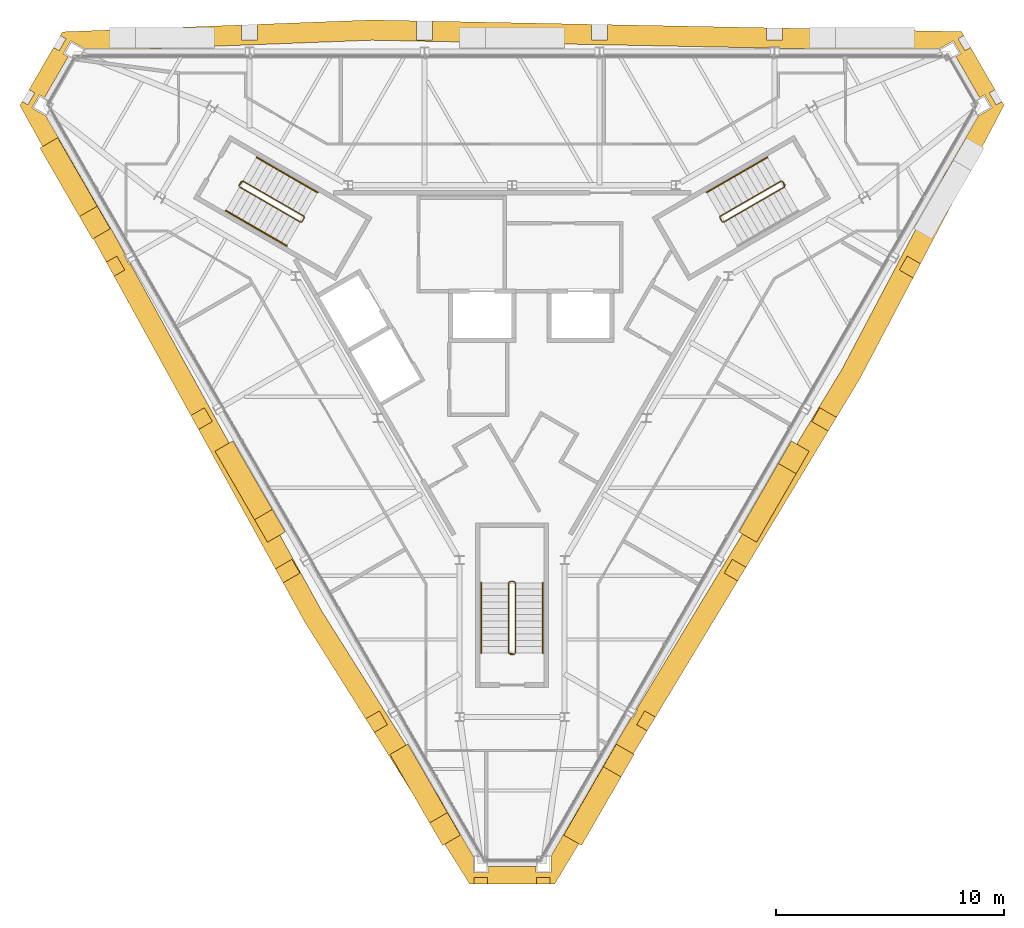
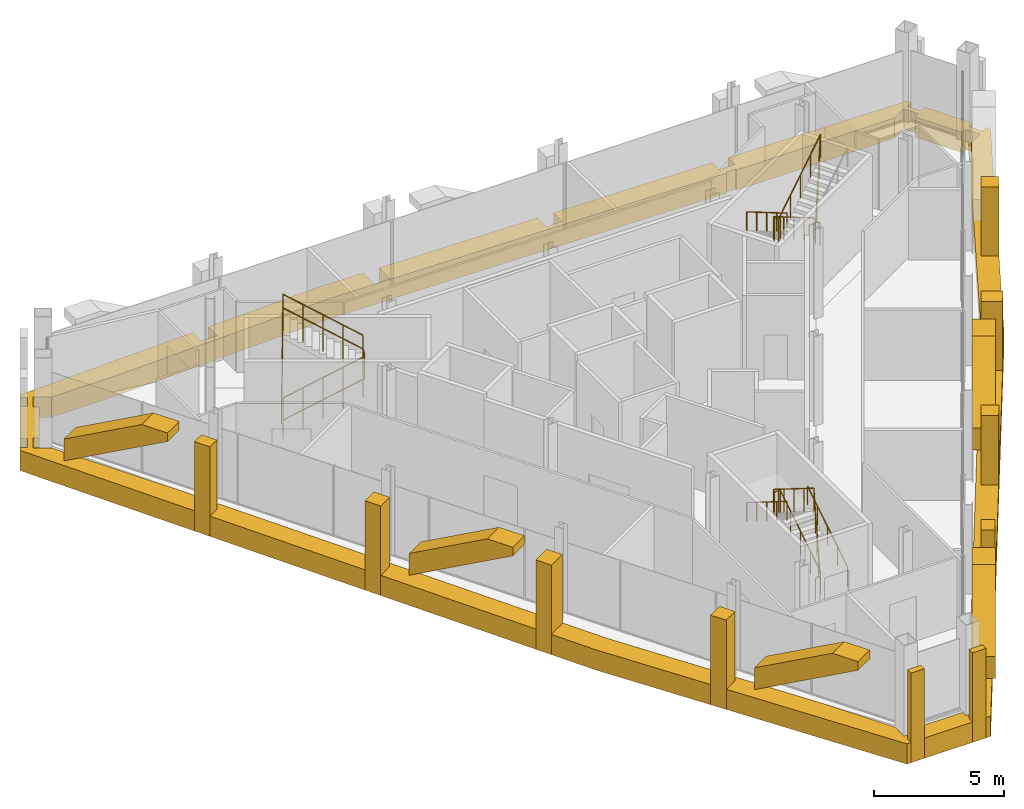
# One storey, part 12 of 13: 16 coverings, 8 railings.
"""IFC4 building model written with IfcOpenShell, lengths in metres."""

from ifc_helpers import new_model, si_unit, direction, frame, origin, origin_2d, place, context, subcontext, project, spatial, polyline, circle, outline, extrude, material, layer, layer_set, type_object, element, save


model = new_model("IFC4")

# Units and contexts
model_context = context("Model", 3, precision=1e-05, world=origin(), true_north=direction((0.0, 1.0)))
body_context = subcontext(model_context, "Body", "Model", "MODEL_VIEW")
ifc_project = project(units=[si_unit("LENGTHUNIT", "METRE"), si_unit("AREAUNIT", "SQUARE_METRE"), si_unit("VOLUMEUNIT", "CUBIC_METRE"), si_unit("PLANEANGLEUNIT", "RADIAN"), si_unit("MASSUNIT", "GRAM", prefix="KILO")], contexts=[model_context])

# Site, building, storey
site_placement = place(None, origin())
site = spatial("IfcSite", under=ifc_project, at=site_placement, CompositionType="ELEMENT")
building_placement = place(site_placement, origin())
building = spatial("IfcBuilding", under=site, at=building_placement, Name="Verrane Prism Tower", CompositionType="ELEMENT")
storey_placement = place(building_placement, frame((0.0, 0.0, 321.0)))
storey = spatial("IfcBuildingStorey", under=building, at=storey_placement, Name="L81", CompositionType="ELEMENT", Elevation=321.0)

# Railings
ifc_material_1 = material(Name="Steel A36 rail and posts, no infill", Category="steel")
railing_type_1 = type_object("IfcRailingType", Name="Stair guard 1100 steel rail and posts", PredefinedType="GUARDRAIL", material=ifc_material_1)
railing_1_placement = place(storey_placement, frame((11.78955078125, 6.97998046875, 0.175048828125)))
element("IfcRailing", 1, at=railing_1_placement, inside=storey, type_object=railing_type_1, Name="Stair 1 guard", PredefinedType="GUARDRAIL", context=body_context, shape_type="SweptSolid", body=[
    extrude(circle(Radius=0.02392578125, at=origin_2d()), frame((0.0, 0.0, 1.076171875), z_axis=(-0.734364028329, -0.424015404183, 0.530019255228), x_axis=(0.500026652407, -0.866010015463, 0.0)), (0.0, 0.0, 1.0), 3.632080078125),
    extrude(circle(Radius=0.02392578125, at=origin_2d()), frame((-2.667236328125, -1.5400390625, 3.0009765625), z_axis=(-0.258736085224, -0.965948051503, 0.0), x_axis=(0.965948051503, -0.258736085224, 0.0)), (0.0, 0.0, 1.0), 0.07080078125),
    extrude(circle(Radius=0.02392578125, at=origin_2d()), frame((-2.685546875, -1.6083984375, 3.0009765625), z_axis=(0.499687197852, -0.866205924883, 0.0), x_axis=(0.866205924883, 0.499687197852, 0.0)), (0.0, 0.0, 1.0), 0.199951171875),
    extrude(circle(Radius=0.02392578125, at=origin_2d()), frame((-2.585693359375, -1.781494140625, 3.0009765625), z_axis=(0.362482401869, -0.097093500501, 0.926919284779), x_axis=(0.258736085224, 0.965948051503, 0.0)), (0.0, 0.0, 1.0), 0.1884765625),
    extrude(circle(Radius=0.02392578125, at=origin_2d()), frame((-2.517333984375, -1.7998046875, 3.17578125), z_axis=(0.734364028329, 0.424015404183, 0.530019255228), x_axis=(-0.500026652407, 0.866010015463, 0.0)), (0.0, 0.0, 1.0), 3.632080078125),
    extrude(circle(Radius=0.02392578125, at=origin_2d()), frame((0.14990234375, -0.259765625, 5.10107421875), z_axis=(-0.019379572802, 0.057384423658, -0.998164044674), x_axis=(-0.947430582667, -0.3199613899, 0.0)), (0.0, 0.0, 1.0), 4.207763671875),
    extrude(circle(Radius=0.02392578125, at=origin_2d()), frame((0.068359375, -0.018310546875, 0.90087890625), z_axis=(0.499158860599, -0.866510491504, 0.0), x_axis=(0.866510491504, 0.499158860599, 0.0)), (0.0, 0.0, 1.0), 0.199951171875),
    extrude(circle(Radius=0.02099609375, at=origin_2d()), origin(), (0.0, 0.0, 1.0), 1.052001953125),
    extrude(circle(Radius=0.02099609375, at=origin_2d()), frame((-0.666748046875, -0.385009765625, 0.481201171875)), (0.0, 0.0, 1.0), 1.052001953125),
    extrude(circle(Radius=0.02099609375, at=origin_2d()), frame((-1.33349609375, -0.77001953125, 0.96240234375)), (0.0, 0.0, 1.0), 1.052001953125),
    extrude(circle(Radius=0.02099609375, at=origin_2d()), frame((-2.00048828125, -1.155029296875, 1.44384765625)), (0.0, 0.0, 1.0), 1.052001953125),
    extrude(circle(Radius=0.02099609375, at=origin_2d()), frame((-2.667236328125, -1.5400390625, 1.925048828125)), (0.0, 0.0, 1.0), 1.052001953125),
    extrude(circle(Radius=0.02099609375, at=origin_2d()), frame((-2.685546875, -1.6083984375, 1.925048828125)), (0.0, 0.0, 1.0), 1.052001953125),
    extrude(circle(Radius=0.02099609375, at=origin_2d()), frame((-2.585693359375, -1.781494140625, 1.925048828125)), (0.0, 0.0, 1.0), 1.052001953125),
    extrude(circle(Radius=0.02099609375, at=origin_2d()), frame((-2.517333984375, -1.7998046875, 2.099853515625)), (0.0, 0.0, 1.0), 1.052001953125),
    extrude(circle(Radius=0.02099609375, at=origin_2d()), frame((-1.8505859375, -1.414794921875, 2.5810546875)), (0.0, 0.0, 1.0), 1.052001953125),
    extrude(circle(Radius=0.02099609375, at=origin_2d()), frame((-1.18359375, -1.02978515625, 3.0625)), (0.0, 0.0, 1.0), 1.052001953125),
    extrude(circle(Radius=0.02099609375, at=origin_2d()), frame((-0.516845703125, -0.644775390625, 3.543701171875)), (0.0, 0.0, 1.0), 1.052001953125),
    extrude(circle(Radius=0.02099609375, at=origin_2d()), frame((0.14990234375, -0.259765625, 4.02490234375)), (0.0, 0.0, 1.0), 1.052001953125),
    extrude(circle(Radius=0.02099609375, at=origin_2d()), frame((0.12939453125, -0.199462890625, 2.974853515625)), (0.0, 0.0, 1.0), 1.052001953125),
    extrude(circle(Radius=0.02099609375, at=origin_2d()), frame((0.109130859375, -0.13916015625, 1.9248046875)), (0.0, 0.0, 1.0), 1.052001953125),
    extrude(circle(Radius=0.02099609375, at=origin_2d()), frame((0.0888671875, -0.07861328125, 0.875)), (0.0, 0.0, 1.0), 1.052001953125),
    extrude(circle(Radius=0.02099609375, at=origin_2d()), frame((0.068359375, -0.018310546875, -0.175048828125)), (0.0, 0.0, 1.0), 1.052001953125),
    extrude(circle(Radius=0.02099609375, at=origin_2d()), frame((0.168212890625, -0.191650390625, -0.175048828125)), (0.0, 0.0, 1.0), 1.052001953125),
])
railing_2_placement = place(storey_placement, frame((-11.939453125, 6.72021484375, 0.175048828125)))
element("IfcRailing", 2, at=railing_2_placement, inside=storey, type_object=railing_type_1, Name="Stair 2 guard", PredefinedType="GUARDRAIL", context=body_context, shape_type="SweptSolid", body=[
    extrude(circle(Radius=0.02392578125, at=origin_2d()), frame((0.0, 0.0, 1.076171875), z_axis=(0.734364028329, -0.424015404183, 0.530019255228), x_axis=(0.500026652407, 0.866010015463, 0.0)), (0.0, 0.0, 1.0), 3.632080078125),
    extrude(circle(Radius=0.02392578125, at=origin_2d()), frame((2.667236328125, -1.5400390625, 3.0009765625), z_axis=(0.965948051503, 0.258736085224, 0.0), x_axis=(-0.258736085224, 0.965948051503, 0.0)), (0.0, 0.0, 1.0), 0.07080078125),
    extrude(circle(Radius=0.02392578125, at=origin_2d()), frame((2.735595703125, -1.521728515625, 3.0009765625), z_axis=(0.499687197852, 0.866205924883, 0.0), x_axis=(-0.866205924883, 0.499687197852, 0.0)), (0.0, 0.0, 1.0), 0.199951171875),
    extrude(circle(Radius=0.02392578125, at=origin_2d()), frame((2.83544921875, -1.3486328125, 3.0009765625), z_axis=(-0.097093500501, 0.362482401869, 0.926919284779), x_axis=(-0.965948051503, -0.258736085224, 0.0)), (0.0, 0.0, 1.0), 0.1884765625),
    extrude(circle(Radius=0.02392578125, at=origin_2d()), frame((2.817138671875, -1.2802734375, 3.17578125), z_axis=(-0.734364028329, 0.424015404183, 0.530019255228), x_axis=(-0.500026652407, -0.866010015463, 0.0)), (0.0, 0.0, 1.0), 3.632080078125),
    extrude(circle(Radius=0.02392578125, at=origin_2d()), frame((0.14990234375, 0.259765625, 5.10107421875), z_axis=(-0.039977536342, -0.045547701058, -0.998161912475), x_axis=(0.751567565678, -0.659656118156, 0.0)), (0.0, 0.0, 1.0), 4.207763671875),
    extrude(circle(Radius=0.02392578125, at=origin_2d()), frame((-0.018310546875, 0.068115234375, 0.90087890625), z_axis=(0.499158860599, 0.866510491504, 0.0), x_axis=(-0.866510491504, 0.499158860599, 0.0)), (0.0, 0.0, 1.0), 0.199951171875),
    extrude(circle(Radius=0.02099609375, at=origin_2d()), origin(), (0.0, 0.0, 1.0), 1.052001953125),
    extrude(circle(Radius=0.02099609375, at=origin_2d()), frame((0.666748046875, -0.385009765625, 0.481201171875)), (0.0, 0.0, 1.0), 1.052001953125),
    extrude(circle(Radius=0.02099609375, at=origin_2d()), frame((1.33349609375, -0.77001953125, 0.96240234375)), (0.0, 0.0, 1.0), 1.052001953125),
    extrude(circle(Radius=0.02099609375, at=origin_2d()), frame((2.00048828125, -1.155029296875, 1.44384765625)), (0.0, 0.0, 1.0), 1.052001953125),
    extrude(circle(Radius=0.02099609375, at=origin_2d()), frame((2.667236328125, -1.5400390625, 1.925048828125)), (0.0, 0.0, 1.0), 1.052001953125),
    extrude(circle(Radius=0.02099609375, at=origin_2d()), frame((2.735595703125, -1.521728515625, 1.925048828125)), (0.0, 0.0, 1.0), 1.052001953125),
    extrude(circle(Radius=0.02099609375, at=origin_2d()), frame((2.83544921875, -1.3486328125, 1.925048828125)), (0.0, 0.0, 1.0), 1.052001953125),
    extrude(circle(Radius=0.02099609375, at=origin_2d()), frame((2.817138671875, -1.2802734375, 2.099853515625)), (0.0, 0.0, 1.0), 1.052001953125),
    extrude(circle(Radius=0.02099609375, at=origin_2d()), frame((2.150390625, -0.895263671875, 2.5810546875)), (0.0, 0.0, 1.0), 1.052001953125),
    extrude(circle(Radius=0.02099609375, at=origin_2d()), frame((1.4833984375, -0.51025390625, 3.0625)), (0.0, 0.0, 1.0), 1.052001953125),
    extrude(circle(Radius=0.02099609375, at=origin_2d()), frame((0.816650390625, -0.125244140625, 3.543701171875)), (0.0, 0.0, 1.0), 1.052001953125),
    extrude(circle(Radius=0.02099609375, at=origin_2d()), frame((0.14990234375, 0.259765625, 4.02490234375)), (0.0, 0.0, 1.0), 1.052001953125),
    extrude(circle(Radius=0.02099609375, at=origin_2d()), frame((0.10791015625, 0.2119140625, 2.974853515625)), (0.0, 0.0, 1.0), 1.052001953125),
    extrude(circle(Radius=0.02099609375, at=origin_2d()), frame((0.06591796875, 0.1640625, 1.9248046875)), (0.0, 0.0, 1.0), 1.052001953125),
    extrude(circle(Radius=0.02099609375, at=origin_2d()), frame((0.023681640625, 0.115966796875, 0.875)), (0.0, 0.0, 1.0), 1.052001953125),
    extrude(circle(Radius=0.02099609375, at=origin_2d()), frame((-0.018310546875, 0.068115234375, -0.175048828125)), (0.0, 0.0, 1.0), 1.052001953125),
    extrude(circle(Radius=0.02099609375, at=origin_2d()), frame((0.08154296875, 0.241455078125, -0.175048828125)), (0.0, 0.0, 1.0), 1.052001953125),
])
railing_3_placement = place(storey_placement, frame((0.14990234375, -13.699951171875, 0.175048828125)))
element("IfcRailing", 3, at=railing_3_placement, inside=storey, type_object=railing_type_1, Name="Stair 3 guard", PredefinedType="GUARDRAIL", context=body_context, shape_type="SweptSolid", body=[
    extrude(circle(Radius=0.02392578125, at=origin_2d()), frame((0.0, 0.0, 1.076171875), z_axis=(0.0, 0.847979421464, 0.530029150871), x_axis=(-1.0, 0.0, 0.0)), (0.0, 0.0, 1.0), 3.632080078125),
    extrude(circle(Radius=0.02392578125, at=origin_2d()), frame((0.0, 3.079833984375, 3.0009765625), z_axis=(-0.705375805398, 0.708833529934, 0.0), x_axis=(-0.708833529934, -0.705375805398, 0.0)), (0.0, 0.0, 1.0), 0.070556640625),
    extrude(circle(Radius=0.02392578125, at=origin_2d()), frame((-0.0498046875, 3.1298828125, 3.0009765625), z_axis=(-1.0, 0.0, 0.0), x_axis=(0.0, -1.0, 0.0)), (0.0, 0.0, 1.0), 0.2001953125),
    extrude(circle(Radius=0.02392578125, at=origin_2d()), frame((-0.25, 3.1298828125, 3.0009765625), z_axis=(-0.264179342666, -0.265474339444, 0.927217692888), x_axis=(0.708833529934, -0.705375805398, 0.0)), (0.0, 0.0, 1.0), 0.1884765625),
    extrude(circle(Radius=0.02392578125, at=origin_2d()), frame((-0.2998046875, 3.079833984375, 3.17578125), z_axis=(0.0, -0.847979421464, 0.530029150871), x_axis=(1.0, 0.0, 0.0)), (0.0, 0.0, 1.0), 3.632080078125),
    extrude(circle(Radius=0.02392578125, at=origin_2d()), frame((-0.2998046875, 0.0, 5.10107421875), z_axis=(0.059415124802, -0.011894629477, -0.99816249215), x_axis=(0.196300278283, 0.98054382908, 0.0)), (0.0, 0.0, 1.0), 4.207763671875),
    extrude(circle(Radius=0.02392578125, at=origin_2d()), frame((-0.0498046875, -0.050048828125, 0.90087890625), z_axis=(-1.0, 0.0, 0.0), x_axis=(0.0, -1.0, 0.0)), (0.0, 0.0, 1.0), 0.2001953125),
    extrude(circle(Radius=0.02099609375, at=origin_2d()), origin(), (0.0, 0.0, 1.0), 1.052001953125),
    extrude(circle(Radius=0.02099609375, at=origin_2d()), frame((0.0, 0.77001953125, 0.481201171875)), (0.0, 0.0, 1.0), 1.052001953125),
    extrude(circle(Radius=0.02099609375, at=origin_2d()), frame((0.0, 1.5400390625, 0.96240234375)), (0.0, 0.0, 1.0), 1.052001953125),
    extrude(circle(Radius=0.02099609375, at=origin_2d()), frame((0.0, 2.309814453125, 1.44384765625)), (0.0, 0.0, 1.0), 1.052001953125),
    extrude(circle(Radius=0.02099609375, at=origin_2d()), frame((0.0, 3.079833984375, 1.925048828125)), (0.0, 0.0, 1.0), 1.052001953125),
    extrude(circle(Radius=0.02099609375, at=origin_2d()), frame((-0.0498046875, 3.1298828125, 1.925048828125)), (0.0, 0.0, 1.0), 1.052001953125),
    extrude(circle(Radius=0.02099609375, at=origin_2d()), frame((-0.25, 3.1298828125, 1.925048828125)), (0.0, 0.0, 1.0), 1.052001953125),
    extrude(circle(Radius=0.02099609375, at=origin_2d()), frame((-0.2998046875, 3.079833984375, 2.099853515625)), (0.0, 0.0, 1.0), 1.052001953125),
    extrude(circle(Radius=0.02099609375, at=origin_2d()), frame((-0.2998046875, 2.309814453125, 2.5810546875)), (0.0, 0.0, 1.0), 1.052001953125),
    extrude(circle(Radius=0.02099609375, at=origin_2d()), frame((-0.2998046875, 1.5400390625, 3.0625)), (0.0, 0.0, 1.0), 1.052001953125),
    extrude(circle(Radius=0.02099609375, at=origin_2d()), frame((-0.2998046875, 0.77001953125, 3.543701171875)), (0.0, 0.0, 1.0), 1.052001953125),
    extrude(circle(Radius=0.02099609375, at=origin_2d()), frame((-0.2998046875, 0.0, 4.02490234375)), (0.0, 0.0, 1.0), 1.052001953125),
    extrude(circle(Radius=0.02099609375, at=origin_2d()), frame((-0.2373046875, -0.012451171875, 2.974853515625)), (0.0, 0.0, 1.0), 1.052001953125),
    extrude(circle(Radius=0.02099609375, at=origin_2d()), frame((-0.1748046875, -0.02490234375, 1.9248046875)), (0.0, 0.0, 1.0), 1.052001953125),
    extrude(circle(Radius=0.02099609375, at=origin_2d()), frame((-0.1123046875, -0.03759765625, 0.875)), (0.0, 0.0, 1.0), 1.052001953125),
    extrude(circle(Radius=0.02099609375, at=origin_2d()), frame((-0.0498046875, -0.050048828125, -0.175048828125)), (0.0, 0.0, 1.0), 1.052001953125),
    extrude(circle(Radius=0.02099609375, at=origin_2d()), frame((-0.25, -0.050048828125, -0.175048828125)), (0.0, 0.0, 1.0), 1.052001953125),
])
ifc_material_2 = material(Name="Steel A36 tube", Category="steel")
railing_type_2 = type_object("IfcRailingType", Name="Stair handrail 900 steel tube", PredefinedType="HANDRAIL", material=ifc_material_2)
railing_4_placement = place(storey_placement, frame((11.189453125, 8.01904296875, 0.175048828125)))
element("IfcRailing", 4, at=railing_4_placement, inside=storey, type_object=railing_type_2, Name="Stair 1 handrail", PredefinedType="HANDRAIL", context=body_context, shape_type="SweptSolid", body=[
    extrude(circle(Radius=0.02392578125, at=origin_2d()), frame((0.0, 0.0, 0.8759765625), z_axis=(-0.734384958227, -0.423960268333, 0.530034361155), x_axis=(0.499967199496, -0.866044340336, 0.0)), (0.0, 0.0, 1.0), 3.6318359375),
    extrude(circle(Radius=0.02099609375, at=origin_2d()), origin(), (0.0, 0.0, 1.0), 0.851806640625),
    extrude(circle(Radius=0.02099609375, at=origin_2d()), frame((-0.666748046875, -0.385009765625, 0.481201171875)), (0.0, 0.0, 1.0), 0.851806640625),
    extrude(circle(Radius=0.02099609375, at=origin_2d()), frame((-1.33349609375, -0.77001953125, 0.96240234375)), (0.0, 0.0, 1.0), 0.851806640625),
    extrude(circle(Radius=0.02099609375, at=origin_2d()), frame((-2.00048828125, -1.15478515625, 1.44384765625)), (0.0, 0.0, 1.0), 0.851806640625),
    extrude(circle(Radius=0.02099609375, at=origin_2d()), frame((-2.667236328125, -1.539794921875, 1.925048828125)), (0.0, 0.0, 1.0), 0.851806640625),
])
railing_5_placement = place(storey_placement, frame((-12.53955078125, 5.680908203125, 0.175048828125)))
element("IfcRailing", 5, at=railing_5_placement, inside=storey, type_object=railing_type_2, Name="Stair 2 handrail", PredefinedType="HANDRAIL", context=body_context, shape_type="SweptSolid", body=[
    extrude(circle(Radius=0.02392578125, at=origin_2d()), frame((0.0, 0.0, 0.8759765625), z_axis=(0.734364028329, -0.424015404183, 0.530019255228), x_axis=(0.500026652407, 0.866010015463, 0.0)), (0.0, 0.0, 1.0), 3.632080078125),
    extrude(circle(Radius=0.02099609375, at=origin_2d()), origin(), (0.0, 0.0, 1.0), 0.851806640625),
    extrude(circle(Radius=0.02099609375, at=origin_2d()), frame((0.666748046875, -0.385009765625, 0.481201171875)), (0.0, 0.0, 1.0), 0.851806640625),
    extrude(circle(Radius=0.02099609375, at=origin_2d()), frame((1.33349609375, -0.77001953125, 0.96240234375)), (0.0, 0.0, 1.0), 0.851806640625),
    extrude(circle(Radius=0.02099609375, at=origin_2d()), frame((2.00048828125, -1.155029296875, 1.44384765625)), (0.0, 0.0, 1.0), 0.851806640625),
    extrude(circle(Radius=0.02099609375, at=origin_2d()), frame((2.667236328125, -1.5400390625, 1.925048828125)), (0.0, 0.0, 1.0), 0.851806640625),
])
railing_6_placement = place(storey_placement, frame((-8.522216796875, 6.479248046875, 2.27490234375)))
element("IfcRailing", 6, at=railing_6_placement, inside=storey, type_object=railing_type_2, Name="Stair 2 handrail", PredefinedType="HANDRAIL", context=body_context, shape_type="SweptSolid", body=[
    extrude(circle(Radius=0.02392578125, at=origin_2d()), frame((0.0, 0.0, 0.8759765625), z_axis=(-0.734384958227, 0.423960268333, 0.530034361155), x_axis=(-0.499967199496, -0.866044340336, 0.0)), (0.0, 0.0, 1.0), 3.6318359375),
    extrude(circle(Radius=0.02099609375, at=origin_2d()), origin(), (0.0, 0.0, 1.0), 0.851806640625),
    extrude(circle(Radius=0.02099609375, at=origin_2d()), frame((-0.666748046875, 0.385009765625, 0.481201171875)), (0.0, 0.0, 1.0), 0.851806640625),
    extrude(circle(Radius=0.02099609375, at=origin_2d()), frame((-1.33349609375, 0.77001953125, 0.96240234375)), (0.0, 0.0, 1.0), 0.851806640625),
    extrude(circle(Radius=0.02099609375, at=origin_2d()), frame((-2.00048828125, 1.15478515625, 1.44384765625)), (0.0, 0.0, 1.0), 0.851806640625),
    extrude(circle(Radius=0.02099609375, at=origin_2d()), frame((-2.667236328125, 1.539794921875, 1.925048828125)), (0.0, 0.0, 1.0), 0.851806640625),
])
railing_7_placement = place(storey_placement, frame((1.35009765625, -13.699951171875, 0.175048828125)))
element("IfcRailing", 7, at=railing_7_placement, inside=storey, type_object=railing_type_2, Name="Stair 3 handrail", PredefinedType="HANDRAIL", context=body_context, shape_type="SweptSolid", body=[
    extrude(circle(Radius=0.02392578125, at=origin_2d()), frame((0.0, 0.0, 0.8759765625), z_axis=(0.0, 0.847979421464, 0.530029150871), x_axis=(-1.0, 0.0, 0.0)), (0.0, 0.0, 1.0), 3.632080078125),
    extrude(circle(Radius=0.02099609375, at=origin_2d()), origin(), (0.0, 0.0, 1.0), 0.851806640625),
    extrude(circle(Radius=0.02099609375, at=origin_2d()), frame((0.0, 0.77001953125, 0.481201171875)), (0.0, 0.0, 1.0), 0.851806640625),
    extrude(circle(Radius=0.02099609375, at=origin_2d()), frame((0.0, 1.5400390625, 0.96240234375)), (0.0, 0.0, 1.0), 0.851806640625),
    extrude(circle(Radius=0.02099609375, at=origin_2d()), frame((0.0, 2.309814453125, 1.44384765625)), (0.0, 0.0, 1.0), 0.851806640625),
    extrude(circle(Radius=0.02099609375, at=origin_2d()), frame((0.0, 3.079833984375, 1.925048828125)), (0.0, 0.0, 1.0), 0.851806640625),
])
railing_8_placement = place(storey_placement, frame((-1.35009765625, -10.6201171875, 2.27490234375)))
element("IfcRailing", 8, at=railing_8_placement, inside=storey, type_object=railing_type_2, Name="Stair 3 handrail", PredefinedType="HANDRAIL", context=body_context, shape_type="SweptSolid", body=[
    extrude(circle(Radius=0.02392578125, at=origin_2d()), frame((0.0, 0.0, 0.8759765625), z_axis=(0.0, -0.847979421464, 0.530029150871), x_axis=(1.0, 0.0, 0.0)), (0.0, 0.0, 1.0), 3.632080078125),
    extrude(circle(Radius=0.02099609375, at=origin_2d()), origin(), (0.0, 0.0, 1.0), 0.851806640625),
    extrude(circle(Radius=0.02099609375, at=origin_2d()), frame((0.0, -0.77001953125, 0.481201171875)), (0.0, 0.0, 1.0), 0.851806640625),
    extrude(circle(Radius=0.02099609375, at=origin_2d()), frame((0.0, -1.5400390625, 0.96240234375)), (0.0, 0.0, 1.0), 0.851806640625),
    extrude(circle(Radius=0.02099609375, at=origin_2d()), frame((0.0, -2.309814453125, 1.44384765625)), (0.0, 0.0, 1.0), 0.851806640625),
    extrude(circle(Radius=0.02099609375, at=origin_2d()), frame((0.0, -3.079833984375, 1.925048828125)), (0.0, 0.0, 1.0), 0.851806640625),
])

# Coverings
ifc_material_3 = material(Name="Warm limestone cladding", Category="masonry")
ifc_layer_1 = layer(ifc_material_3, 0.89990234375)
ifc_layer_set_1 = layer_set([ifc_layer_1], Name="Stone brace fin 900")
covering_type_1 = type_object("IfcCoveringType", Name="Stone brace fin 900", PredefinedType="CLADDING", material=ifc_layer_set_1)
for number, where, z_axis, x_axis, name in (
    (9, (-20.294189453125, 8.650390625, 0.326904296875), (0.0, 0.0, 1.0), (0.5000194552, -0.866014171028, 0.0), "Stone brace fin SW1 L81"),
    (10, (-12.625, -4.632568359375, 0.326904296875), (0.0, 0.0, 1.0), (0.49997966108, -0.866037146147, 0.0), "Stone brace fin SW3 L81"),
    (11, (-4.956298828125, -17.91552734375, 0.326904296875), (0.0, 0.0, 1.0), (0.5000194552, -0.866014171028, 0.0), "Stone brace fin SW5 L81"),
    (12, (2.655517578125, -21.900390625, 0.326904296875), (0.0, 0.0, 1.0), (0.5000194552, 0.866014171028, 0.0), "Stone brace fin SE1 L81"),
    (13, (10.324462890625, -8.617431640625, 0.326904296875), (0.0, 0.0, 1.0), (0.49997966108, 0.866037146147, 0.0), "Stone brace fin SE3 L81"),
):
    element("IfcCovering", number, at=place(storey_placement, frame(where, z_axis=z_axis, x_axis=x_axis)), inside=storey, type_object=covering_type_1, Name=name, PredefinedType="CLADDING", context=body_context, shape_type="SweptSolid", body=[
        extrude(outline(polyline([(4.601318359375, 2.923095703125), (3.463623046875, 2.923095703125), (0.0, 1.026123046875), (0.0, 0.0), (4.601318359375, 2.52001953125), (4.601318359375, 2.923095703125)])), frame((0.0, 0.449951171875, 0.0), z_axis=(0.0, -1.0, 0.0), x_axis=(1.0, 0.0, 0.0)), (0.0, 0.0, 1.0), 0.89990234375),
    ])
ifc_material_4 = material(Name="Warm limestone cladding", Category="masonry")
covering_type_2 = type_object("IfcCoveringType", Name="Stone corner pier 600", PredefinedType="CLADDING", material=ifc_material_4)
covering_1_placement = place(storey_placement, frame((0.0, 0.0, -0.949951171875)))
element("IfcCovering", 14, at=covering_1_placement, inside=storey, type_object=covering_type_2, Name="Stone pier MC-S.a L81", PredefinedType="CLADDING", context=body_context, shape_type="SweptSolid", body=[
    extrude(outline(polyline([(-1.069091796875, -23.52880859375), (-1.6689453125, -23.52880859375), (-1.6689453125, -23.813720703125), (-1.069091796875, -23.813720703125), (-1.069091796875, -23.52880859375)])), origin(), (0.0, 0.0, 1.0), 4.199951171875),
])
covering_2_placement = place(storey_placement, frame((0.0, 0.0, -0.949951171875)))
element("IfcCovering", 15, at=covering_2_placement, inside=storey, type_object=covering_type_2, Name="Stone pier MC-S.b L81", PredefinedType="CLADDING", context=body_context, shape_type="SweptSolid", body=[
    extrude(outline(polyline([(1.6689453125, -23.52880859375), (1.069091796875, -23.52880859375), (1.069091796875, -23.813720703125), (1.6689453125, -23.813720703125), (1.6689453125, -23.52880859375)])), origin(), (0.0, 0.0, 1.0), 4.199951171875),
])
ifc_material_5 = material(Name="Warm limestone cladding", Category="masonry")
covering_type_3 = type_object("IfcCoveringType", Name="Stone pier 700", PredefinedType="CLADDING", material=ifc_material_5)
covering_3_placement = place(storey_placement, frame((0.0, 0.0, -0.949951171875)))
element("IfcCovering", 16, at=covering_3_placement, inside=storey, type_object=covering_type_3, Name="Stone pier PC-SW1 L81", PredefinedType="CLADDING", context=body_context, shape_type="SweptSolid", body=[
    extrude(outline(polyline([(-16.96484375, 3.084228515625), (-17.094482421875, 3.30859375), (-17.31494140625, 3.6904296875), (-17.773681640625, 3.425537109375), (-17.435546875, 2.8125), (-16.96484375, 3.084228515625)])), origin(), (0.0, 0.0, 1.0), 4.199951171875),
])
covering_4_placement = place(storey_placement, frame((0.0, 0.0, -0.949951171875)))
element("IfcCovering", 17, at=covering_4_placement, inside=storey, type_object=covering_type_3, Name="Stone pier PC-SW2 L81", PredefinedType="CLADDING", context=body_context, shape_type="SweptSolid", body=[
    extrude(outline(polyline([(-13.13037109375, -3.557373046875), (-13.279296875, -3.299560546875), (-13.48046875, -2.951171875), (-14.0703125, -3.291748046875), (-13.732421875, -3.90478515625), (-13.13037109375, -3.557373046875)])), origin(), (0.0, 0.0, 1.0), 4.199951171875),
])
covering_5_placement = place(storey_placement, frame((0.0, 0.0, -0.949951171875)))
element("IfcCovering", 18, at=covering_5_placement, inside=storey, type_object=covering_type_3, Name="Stone pier PC-SW3 L81", PredefinedType="CLADDING", context=body_context, shape_type="SweptSolid", body=[
    extrude(outline(polyline([(-9.2958984375, -10.198974609375), (-9.470947265625, -9.895751953125), (-9.64599609375, -9.5927734375), (-10.366943359375, -10.009033203125), (-10.029052734375, -10.6220703125), (-9.2958984375, -10.198974609375)])), origin(), (0.0, 0.0, 1.0), 4.199951171875),
])
covering_6_placement = place(storey_placement, frame((0.0, 0.0, -0.949951171875)))
element("IfcCovering", 19, at=covering_6_placement, inside=storey, type_object=covering_type_3, Name="Stone pier PC-SW4 L81", PredefinedType="CLADDING", context=body_context, shape_type="SweptSolid", body=[
    extrude(outline(polyline([(-5.46142578125, -16.84033203125), (-5.8115234375, -16.234130859375), (-6.41162109375, -16.580810546875), (-6.038330078125, -17.173583984375), (-5.46142578125, -16.84033203125)])), origin(), (0.0, 0.0, 1.0), 4.199951171875),
])
covering_7_placement = place(storey_placement, frame((0.0, 0.0, -0.949951171875)))
element("IfcCovering", 20, at=covering_7_placement, inside=storey, type_object=covering_type_3, Name="Stone pier PC-SE1 L81", PredefinedType="CLADDING", context=body_context, shape_type="SweptSolid", body=[
    extrude(outline(polyline([(5.8115234375, -16.234130859375), (5.710205078125, -16.409912109375), (5.46142578125, -16.84033203125), (5.920166015625, -17.105224609375), (6.281982421875, -16.505859375), (5.8115234375, -16.234130859375)])), origin(), (0.0, 0.0, 1.0), 4.199951171875),
])
covering_8_placement = place(storey_placement, frame((0.0, 0.0, -0.949951171875)))
element("IfcCovering", 21, at=covering_8_placement, inside=storey, type_object=covering_type_3, Name="Stone pier PC-SE2 L81", PredefinedType="CLADDING", context=body_context, shape_type="SweptSolid", body=[
    extrude(outline(polyline([(9.64599609375, -9.5927734375), (9.2958984375, -10.198974609375), (9.8857421875, -10.539306640625), (10.247802734375, -9.940185546875), (9.64599609375, -9.5927734375)])), origin(), (0.0, 0.0, 1.0), 4.199951171875),
])
covering_9_placement = place(storey_placement, frame((0.0, 0.0, -0.949951171875)))
element("IfcCovering", 22, at=covering_9_placement, inside=storey, type_object=covering_type_3, Name="Stone pier PC-SE3 L81", PredefinedType="CLADDING", context=body_context, shape_type="SweptSolid", body=[
    extrude(outline(polyline([(13.48046875, -2.951171875), (13.13037109375, -3.557373046875), (13.8515625, -3.9736328125), (14.21337890625, -3.374267578125), (13.48046875, -2.951171875)])), origin(), (0.0, 0.0, 1.0), 4.199951171875),
])
covering_10_placement = place(storey_placement, frame((0.0, 0.0, -0.949951171875)))
element("IfcCovering", 23, at=covering_10_placement, inside=storey, type_object=covering_type_3, Name="Stone pier PC-SE4 L81", PredefinedType="CLADDING", context=body_context, shape_type="SweptSolid", body=[
    extrude(outline(polyline([(17.31494140625, 3.6904296875), (16.96484375, 3.084228515625), (17.565185546875, 2.73779296875), (17.891845703125, 3.357421875), (17.31494140625, 3.6904296875)])), origin(), (0.0, 0.0, 1.0), 4.199951171875),
])
ifc_material_6 = material(Name="Warm limestone cladding", Category="masonry")
ifc_layer_2 = layer(ifc_material_6, 0.449951171875)
ifc_layer_set_2 = layer_set([ifc_layer_2], Name="Stone spandrel band 450")
covering_type_4 = type_object("IfcCoveringType", Name="Stone spandrel band 450", PredefinedType="CLADDING", material=ifc_layer_set_2)
covering_11_placement = place(storey_placement, frame((0.0, 0.0, -0.949951171875)))
element("IfcCovering", 24, at=covering_11_placement, inside=storey, type_object=covering_type_4, Name="Stone spandrel band L81", PredefinedType="CLADDING", context=body_context, shape_type="SweptSolid", body=[
    extrude(outline(polyline([(1.868408203125, -23.813720703125), (5.920166015625, -17.105224609375), (5.46142578125, -16.84033203125), (5.8115234375, -16.234130859375), (6.281982421875, -16.505859375), (9.8857421875, -10.539306640625), (9.2958984375, -10.198974609375), (9.64599609375, -9.5927734375), (10.247802734375, -9.940185546875), (13.8515625, -3.9736328125), (13.13037109375, -3.557373046875), (13.48046875, -2.951171875), (14.21337890625, -3.374267578125), (15.2265625, -1.697265625), (17.565185546875, 2.73779296875), (16.96484375, 3.084228515625), (17.31494140625, 3.6904296875), (17.891845703125, 3.357421875), (21.552001953125, 10.298095703125), (21.457763671875, 10.46142578125), (21.2109375, 10.319091796875), (20.910888671875, 10.838623046875), (21.15771484375, 10.98095703125), (20.088623046875, 12.83251953125), (19.842041015625, 12.690185546875), (19.5419921875, 13.209716796875), (19.788818359375, 13.352294921875), (19.68896484375, 13.52490234375), (11.853515625, 13.6796875), (11.853515625, 13.14990234375), (11.1533203125, 13.14990234375), (11.1533203125, 13.693359375), (4.1845703125, 13.8310546875), (4.1845703125, 13.14990234375), (3.484619140625, 13.14990234375), (3.484619140625, 13.844970703125), (-3.484619140625, 13.982666015625), (-3.484619140625, 13.14990234375), (-4.1845703125, 13.14990234375), (-4.1845703125, 13.996337890625), (-6.143310546875, 14.03515625), (-11.1533203125, 13.843017578125), (-11.1533203125, 13.14990234375), (-11.853515625, 13.14990234375), (-11.853515625, 13.816162109375), (-19.6943359375, 13.515380859375), (-19.788818359375, 13.352294921875), (-19.5419921875, 13.209716796875), (-19.842041015625, 12.690185546875), (-20.088623046875, 12.83251953125), (-21.15771484375, 10.98095703125), (-20.910888671875, 10.838623046875), (-21.2109375, 10.319091796875), (-21.457763671875, 10.46142578125), (-21.557373046875, 10.288818359375), (-17.773681640625, 3.425537109375), (-17.31494140625, 3.6904296875), (-16.96484375, 3.084228515625), (-17.435546875, 2.8125), (-14.0703125, -3.291748046875), (-13.48046875, -2.951171875), (-13.13037109375, -3.557373046875), (-13.732421875, -3.90478515625), (-10.366943359375, -10.009033203125), (-9.64599609375, -9.5927734375), (-9.2958984375, -10.198974609375), (-10.029052734375, -10.6220703125), (-9.0830078125, -12.337890625), (-6.41162109375, -16.580810546875), (-5.8115234375, -16.234130859375), (-5.46142578125, -16.84033203125), (-6.038330078125, -17.173583984375), (-1.857421875, -23.813720703125), (-1.6689453125, -23.813720703125), (-1.6689453125, -23.52880859375), (-1.069091796875, -23.52880859375), (-1.069091796875, -23.813720703125), (1.069091796875, -23.813720703125), (1.069091796875, -23.52880859375), (1.6689453125, -23.52880859375), (1.6689453125, -23.813720703125), (1.868408203125, -23.813720703125)]), holes=[polyline([(4.693115234375, -17.425537109375), (1.699951171875, -22.609619140625), (1.699951171875, -23.31005859375), (1.0400390625, -23.31005859375), (1.0400390625, -23.055908203125), (-1.0400390625, -23.055908203125), (-1.0400390625, -23.31005859375), (-1.699951171875, -23.31005859375), (-1.699951171875, -22.609619140625), (-3.134765625, -20.124267578125), (-8.320556640625, -11.88818359375), (-16.7353515625, 3.375), (-16.787109375, 3.34521484375), (-17.00390625, 3.720703125), (-16.944580078125, 3.754638671875), (-17.43701171875, 4.64794921875), (-20.43310546875, 9.837158203125), (-21.0341796875, 10.18408203125), (-20.7041015625, 10.755859375), (-20.485595703125, 10.629638671875), (-19.44677734375, 12.4287109375), (-19.6640625, 12.55419921875), (-19.333984375, 13.125732421875), (-18.72998046875, 12.777099609375), (-15.861083984375, 12.777099609375), (-6.13525390625, 13.14990234375), (11.283203125, 12.805908203125), (11.283203125, 12.8642578125), (11.716796875, 12.8642578125), (11.716796875, 12.79736328125), (12.744384765625, 12.777099609375), (18.72998046875, 12.777099609375), (19.333984375, 13.125732421875), (19.6640625, 12.55419921875), (19.44677734375, 12.4287109375), (20.485595703125, 10.629638671875), (20.7041015625, 10.755859375), (21.0341796875, 10.18408203125), (20.43310546875, 9.837158203125), (18.99560546875, 7.34765625), (14.455810546875, -1.26171875), (5.444580078125, -16.180908203125), (5.493896484375, -16.20947265625), (5.277099609375, -16.584716796875), (5.220458984375, -16.552001953125), (4.693115234375, -17.425537109375)])]), origin(), (0.0, 0.0, 1.0), 0.949951171875),
])

save(model, "model.ifc")
